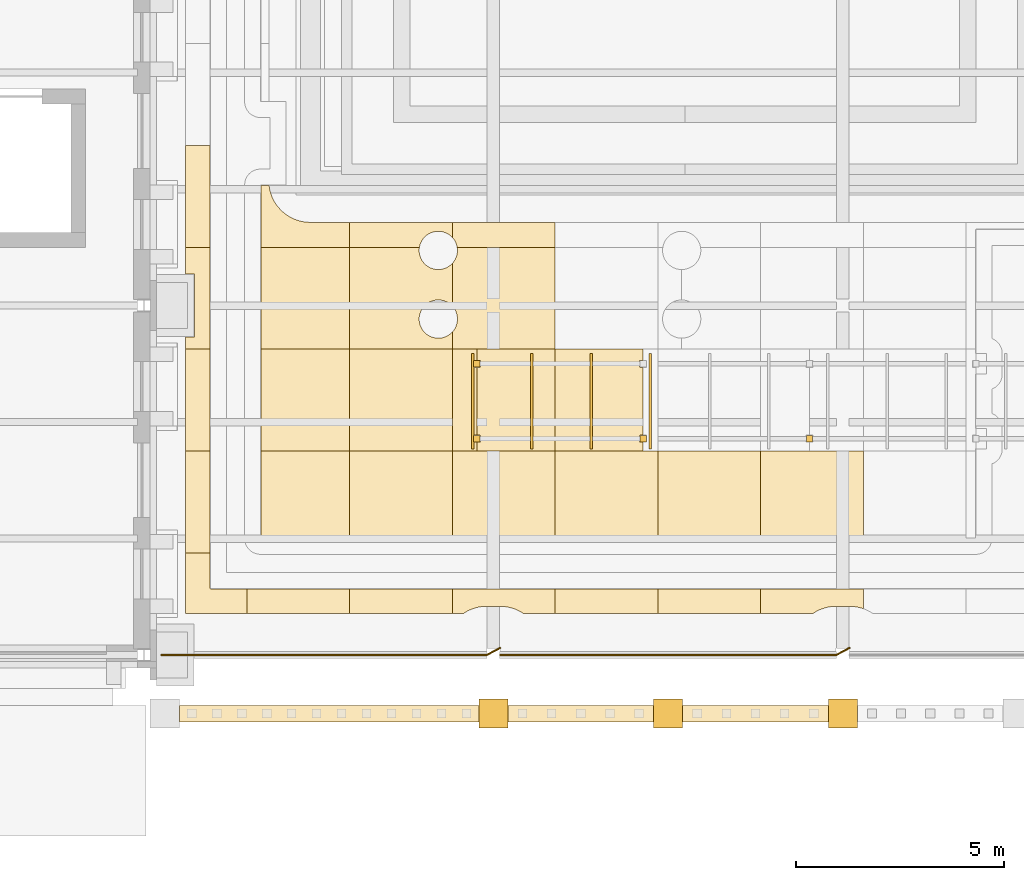
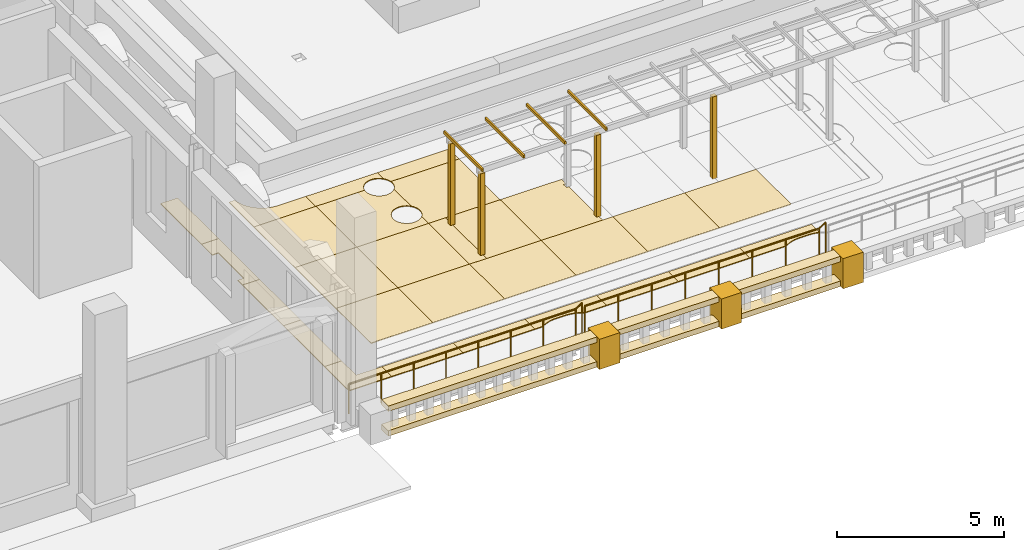
# One storey, part 69 of 76: 45 coverings, 4 railings.
"""IFC4 building model written with IfcOpenShell, lengths in metres."""

from ifc_helpers import new_model, si_unit, direction, frame, origin, origin_2d, place, context, subcontext, project, spatial, polyline, rectangle, circle, outline, extrude, material, layer, layer_set, type_object, element, save


model = new_model("IFC4")

# Units and contexts
model_context = context("Model", 3, precision=1e-05, world=origin(), true_north=direction((0.0, 1.0)))
body_context = subcontext(model_context, "Body", "Model", "MODEL_VIEW")
ifc_project = project(units=[si_unit("LENGTHUNIT", "METRE"), si_unit("AREAUNIT", "SQUARE_METRE"), si_unit("VOLUMEUNIT", "CUBIC_METRE"), si_unit("PLANEANGLEUNIT", "RADIAN"), si_unit("MASSUNIT", "GRAM", prefix="KILO")], contexts=[model_context])

# Site, building, storey
site_placement = place(None, origin())
site = spatial("IfcSite", under=ifc_project, at=site_placement, CompositionType="ELEMENT")
building_placement = place(site_placement, origin())
building = spatial("IfcBuilding", under=site, at=building_placement, Name="Sava Quay Ferry Terminal", CompositionType="ELEMENT")
storey_placement = place(building_placement, frame((0.0, 0.0, 6.0)))
storey = spatial("IfcBuildingStorey", under=building, at=storey_placement, Name="L01", CompositionType="ELEMENT", Elevation=6.0)

# Coverings
ifc_material_1 = material(Name="Limestone Mutalj", Category="masonry")
ifc_layer_1 = layer(ifc_material_1, 0.699951171875)
ifc_layer_set_1 = layer_set([ifc_layer_1], Name="Limestone Mutalj")
covering_type_1 = type_object("IfcCoveringType", Name="Balustrade pier 700", PredefinedType="MOLDING", material=ifc_layer_set_1)
for number, where, z_axis, x_axis, name in (
    (1, (134.39990234375, 23.7900390625, 0.0), (0.0, 0.0, 1.0), (1.0, 0.0, 0.0), "Balustrade pier"),
    (2, (138.60009765625, 23.7900390625, 0.0), (0.0, 0.0, 1.0), (1.0, 0.0, 0.0), "Balustrade pier"),
    (3, (142.800048828125, 23.7900390625, 0.0), (0.0, 0.0, 1.0), (1.0, 0.0, 0.0), "Balustrade pier"),
):
    element("IfcCovering", number, at=place(storey_placement, frame(where, z_axis=z_axis, x_axis=x_axis)), inside=storey, type_object=covering_type_1, Name=name, PredefinedType="MOLDING", context=body_context, shape_type="SweptSolid", body=[
        extrude(rectangle(XDim=0.699951171875, YDim=0.699951171875, at=origin_2d()), origin(), (0.0, 0.0, 1.0), 1.10009765625),
    ])
ifc_material_2 = material(Name="Limestone Mutalj", Category="masonry")
ifc_layer_2 = layer(ifc_material_2, 0.39990234375)
ifc_layer_set_2 = layer_set([ifc_layer_2], Name="Limestone Mutalj")
covering_type_2 = type_object("IfcCoveringType", Name="Balustrade rail 400", PredefinedType="MOLDING", material=ifc_layer_set_2)
for number, where, z_axis, x_axis, name in (
    (4, (130.449951171875, 23.7900390625, 0.0), (0.0, 0.0, 1.0), (1.0, 0.0, 0.0), "Balustrade rail"),
    (5, (130.449951171875, 23.7900390625, 0.89990234375), (0.0, 0.0, 1.0), (1.0, 0.0, 0.0), "Balustrade rail"),
):
    element("IfcCovering", number, at=place(storey_placement, frame(where, z_axis=z_axis, x_axis=x_axis)), inside=storey, type_object=covering_type_2, Name=name, PredefinedType="MOLDING", context=body_context, shape_type="SweptSolid", body=[
        extrude(rectangle(XDim=7.199951171875, YDim=0.39990234375, at=origin_2d()), origin(), (0.0, 0.0, 1.0), 0.199951171875),
    ])
for number, where, z_axis, x_axis, name in (
    (6, (136.5, 23.7900390625, 0.0), (0.0, 0.0, 1.0), (1.0, 0.0, 0.0), "Balustrade rail"),
    (7, (136.5, 23.7900390625, 0.89990234375), (0.0, 0.0, 1.0), (1.0, 0.0, 0.0), "Balustrade rail"),
    (8, (140.699951171875, 23.7900390625, 0.0), (0.0, 0.0, 1.0), (1.0, 0.0, 0.0), "Balustrade rail"),
    (9, (140.699951171875, 23.7900390625, 0.89990234375), (0.0, 0.0, 1.0), (1.0, 0.0, 0.0), "Balustrade rail"),
):
    element("IfcCovering", number, at=place(storey_placement, frame(where, z_axis=z_axis, x_axis=x_axis)), inside=storey, type_object=covering_type_2, Name=name, PredefinedType="MOLDING", context=body_context, shape_type="SweptSolid", body=[
        extrude(rectangle(XDim=3.5, YDim=0.39990234375, at=origin_2d()), origin(), (0.0, 0.0, 1.0), 0.199951171875),
    ])
ifc_material_3 = material(Name="Limestone Mutalj", Category="masonry")
ifc_layer_3 = layer(ifc_material_3, 0.030029296875)
ifc_layer_set_3 = layer_set([ifc_layer_3], Name="Limestone Mutalj")
covering_type_3 = type_object("IfcCoveringType", Name="Court paving tile 30", PredefinedType="FLOORING", material=ifc_layer_set_3)
covering_1_placement = place(storey_placement, origin())
element("IfcCovering", 10, at=covering_1_placement, inside=storey, type_object=covering_type_3, Name="Limestone paving tile", PredefinedType="FLOORING", context=body_context, shape_type="SweptSolid", body=[
    extrude(outline(polyline([(128.470947265625, 26.199951171875), (128.470947265625, 26.7900390625), (127.60009765625, 26.7900390625), (127.594970703125, 26.791015625), (127.591064453125, 26.794921875), (127.590087890625, 26.800048828125), (127.590087890625, 27.64990234375), (127.0, 27.64990234375), (127.0, 26.199951171875), (128.470947265625, 26.199951171875)])), origin(), (0.0, 0.0, 1.0), 0.030029296875),
])
covering_2_placement = place(storey_placement, origin())
element("IfcCovering", 11, at=covering_2_placement, inside=storey, type_object=covering_type_3, Name="Limestone paving tile", PredefinedType="FLOORING", context=body_context, shape_type="SweptSolid", body=[
    extrude(outline(polyline([(127.590087890625, 32.550048828125), (127.0, 32.550048828125), (127.0, 30.10009765625), (127.590087890625, 30.10009765625), (127.590087890625, 32.550048828125)])), origin(), (0.0, 0.0, 1.0), 0.030029296875),
])
covering_3_placement = place(storey_placement, origin())
element("IfcCovering", 12, at=covering_3_placement, inside=storey, type_object=covering_type_3, Name="Limestone paving tile", PredefinedType="FLOORING", context=body_context, shape_type="SweptSolid", body=[
    extrude(outline(polyline([(127.590087890625, 37.449951171875), (127.0, 37.449951171875), (127.0, 35.0), (127.590087890625, 35.0), (127.590087890625, 37.449951171875)])), origin(), (0.0, 0.0, 1.0), 0.030029296875),
])
covering_4_placement = place(storey_placement, origin())
element("IfcCovering", 13, at=covering_4_placement, inside=storey, type_object=covering_type_3, Name="Limestone paving tile", PredefinedType="FLOORING", context=body_context, shape_type="SweptSolid", body=[
    extrude(outline(polyline([(130.94091796875, 30.10009765625), (128.81005859375, 30.10009765625), (128.81005859375, 28.010009765625), (130.94091796875, 28.010009765625), (130.94091796875, 30.10009765625)])), origin(), (0.0, 0.0, 1.0), 0.030029296875),
])
covering_5_placement = place(storey_placement, origin())
element("IfcCovering", 14, at=covering_5_placement, inside=storey, type_object=covering_type_3, Name="Limestone paving tile", PredefinedType="FLOORING", context=body_context, shape_type="SweptSolid", body=[
    extrude(outline(polyline([(130.94091796875, 35.0), (128.81005859375, 35.0), (128.81005859375, 32.550048828125), (130.94091796875, 32.550048828125), (130.94091796875, 35.0)])), origin(), (0.0, 0.0, 1.0), 0.030029296875),
])
covering_6_placement = place(storey_placement, origin())
element("IfcCovering", 15, at=covering_6_placement, inside=storey, type_object=covering_type_3, Name="Limestone paving tile", PredefinedType="FLOORING", context=body_context, shape_type="SweptSolid", body=[
    extrude(outline(polyline([(133.412109375, 26.199951171875), (133.412109375, 26.7900390625), (130.94091796875, 26.7900390625), (130.94091796875, 26.199951171875), (133.412109375, 26.199951171875)])), origin(), (0.0, 0.0, 1.0), 0.030029296875),
])
covering_7_placement = place(storey_placement, origin())
element("IfcCovering", 16, at=covering_7_placement, inside=storey, type_object=covering_type_3, Name="Limestone paving tile", PredefinedType="FLOORING", context=body_context, shape_type="SweptSolid", body=[
    extrude(outline(polyline([(130.94091796875, 30.10009765625), (133.412109375, 30.10009765625), (133.412109375, 32.550048828125), (130.94091796875, 32.550048828125), (130.94091796875, 30.10009765625)])), origin(), (0.0, 0.0, 1.0), 0.030029296875),
])
covering_8_placement = place(storey_placement, origin())
element("IfcCovering", 17, at=covering_8_placement, inside=storey, type_object=covering_type_3, Name="Limestone paving tile", PredefinedType="FLOORING", context=body_context, shape_type="SweptSolid", body=[
    extrude(outline(polyline([(133.412109375, 35.238037109375), (133.412109375, 35.60009765625), (130.94091796875, 35.60009765625), (130.94091796875, 35.0), (132.6220703125, 35.0), (132.6240234375, 35.014892578125), (132.635009765625, 35.05908203125), (132.64990234375, 35.10107421875), (132.6689453125, 35.14111328125), (132.69189453125, 35.179931640625), (132.718994140625, 35.216064453125), (132.75, 35.2509765625), (132.783935546875, 35.281005859375), (132.820068359375, 35.30810546875), (132.85791015625, 35.330078125), (132.89892578125, 35.35009765625), (132.94189453125, 35.364990234375), (132.986083984375, 35.3759765625), (133.030029296875, 35.383056640625), (133.074951171875, 35.385009765625), (133.12109375, 35.383056640625), (133.1650390625, 35.3759765625), (133.2080078125, 35.364990234375), (133.2509765625, 35.35009765625), (133.2919921875, 35.330078125), (133.3310546875, 35.306884765625), (133.366943359375, 35.280029296875), (133.39990234375, 35.2509765625), (133.412109375, 35.238037109375)])), origin(), (0.0, 0.0, 1.0), 0.030029296875),
])
covering_9_placement = place(storey_placement, origin())
element("IfcCovering", 18, at=covering_9_placement, inside=storey, type_object=covering_type_3, Name="Limestone paving tile", PredefinedType="FLOORING", context=body_context, shape_type="SweptSolid", body=[
    extrude(outline(polyline([(133.412109375, 30.10009765625), (133.412109375, 28.010009765625), (135.882080078125, 28.010009765625), (135.882080078125, 30.10009765625), (133.412109375, 30.10009765625)])), origin(), (0.0, 0.0, 1.0), 0.030029296875),
])
covering_10_placement = place(storey_placement, origin())
element("IfcCovering", 19, at=covering_10_placement, inside=storey, type_object=covering_type_3, Name="Limestone paving tile", PredefinedType="FLOORING", context=body_context, shape_type="SweptSolid", body=[
    extrude(outline(polyline([(135.882080078125, 35.0), (133.528076171875, 35.0), (133.532958984375, 34.969970703125), (133.534912109375, 34.925048828125), (133.532958984375, 34.8798828125), (133.52587890625, 34.8359375), (133.514892578125, 34.7919921875), (133.5, 34.7490234375), (133.47998046875, 34.7080078125), (133.45703125, 34.6689453125), (133.430908203125, 34.634033203125), (133.412109375, 34.612060546875), (133.412109375, 33.587890625), (133.430908203125, 33.56591796875), (133.4580078125, 33.530029296875), (133.48095703125, 33.490966796875), (133.5, 33.450927734375), (133.514892578125, 33.407958984375), (133.52587890625, 33.364013671875), (133.532958984375, 33.320068359375), (133.534912109375, 33.27490234375), (133.532958984375, 33.22900390625), (133.52587890625, 33.18505859375), (133.514892578125, 33.14208984375), (133.5, 33.09912109375), (133.48095703125, 33.05908203125), (133.4580078125, 33.02001953125), (133.430908203125, 32.98388671875), (133.412109375, 32.9619140625), (133.412109375, 32.550048828125), (135.882080078125, 32.550048828125), (135.882080078125, 35.0)])), origin(), (0.0, 0.0, 1.0), 0.030029296875),
])
covering_11_placement = place(storey_placement, origin())
element("IfcCovering", 20, at=covering_11_placement, inside=storey, type_object=covering_type_3, Name="Limestone paving tile", PredefinedType="FLOORING", context=body_context, shape_type="SweptSolid", body=[
    extrude(outline(polyline([(138.35302734375, 26.199951171875), (138.35302734375, 26.7900390625), (135.882080078125, 26.7900390625), (135.882080078125, 26.199951171875), (138.35302734375, 26.199951171875)])), origin(), (0.0, 0.0, 1.0), 0.030029296875),
])
covering_12_placement = place(storey_placement, origin())
element("IfcCovering", 21, at=covering_12_placement, inside=storey, type_object=covering_type_3, Name="Limestone paving tile", PredefinedType="FLOORING", context=body_context, shape_type="SweptSolid", body=[
    extrude(outline(polyline([(135.882080078125, 32.550048828125), (135.882080078125, 30.10009765625), (138.0, 30.10009765625), (138.0, 30.31494140625), (137.924072265625, 30.31494140625), (137.9189453125, 30.31689453125), (137.916015625, 30.320068359375), (137.9150390625, 30.324951171875), (137.9150390625, 30.47509765625), (137.9169921875, 30.48095703125), (137.924072265625, 30.485107421875), (138.0, 30.485107421875), (138.0, 32.114990234375), (137.924072265625, 32.114990234375), (137.9189453125, 32.116943359375), (137.916015625, 32.1201171875), (137.9150390625, 32.125), (137.9150390625, 32.27490234375), (137.9169921875, 32.281005859375), (137.924072265625, 32.284912109375), (138.0, 32.284912109375), (138.0, 32.550048828125), (135.882080078125, 32.550048828125)])), origin(), (0.0, 0.0, 1.0), 0.030029296875),
])
covering_13_placement = place(storey_placement, origin())
element("IfcCovering", 22, at=covering_13_placement, inside=storey, type_object=covering_type_3, Name="Limestone paving tile", PredefinedType="FLOORING", context=body_context, shape_type="SweptSolid", body=[
    extrude(outline(polyline([(138.35302734375, 30.10009765625), (138.35302734375, 28.010009765625), (140.823974609375, 28.010009765625), (140.823974609375, 30.10009765625), (138.35302734375, 30.10009765625)])), origin(), (0.0, 0.0, 1.0), 0.030029296875),
])
covering_14_placement = place(storey_placement, origin())
element("IfcCovering", 23, at=covering_14_placement, inside=storey, type_object=covering_type_3, Name="Limestone paving tile", PredefinedType="FLOORING", context=body_context, shape_type="SweptSolid", body=[
    extrude(outline(polyline([(143.2939453125, 26.31103515625), (143.2939453125, 26.7900390625), (140.823974609375, 26.7900390625), (140.823974609375, 26.199951171875), (142.08203125, 26.199951171875), (142.1689453125, 26.251953125), (142.257080078125, 26.2939453125), (142.35009765625, 26.326904296875), (142.445068359375, 26.35107421875), (142.5419921875, 26.364990234375), (142.639892578125, 26.3701171875), (142.9599609375, 26.3701171875), (143.05810546875, 26.364990234375), (143.155029296875, 26.35107421875), (143.25, 26.326904296875), (143.2939453125, 26.31103515625)])), origin(), (0.0, 0.0, 1.0), 0.030029296875),
])
ifc_material_4 = material(Name="Red sandstone Vrsac", Category="masonry")
ifc_layer_4 = layer(ifc_material_4, 0.030029296875)
ifc_layer_set_4 = layer_set([ifc_layer_4], Name="Red sandstone Vrsac")
covering_type_4 = type_object("IfcCoveringType", Name="Court paving tile sandstone 30", PredefinedType="FLOORING", material=ifc_layer_set_4)
covering_15_placement = place(storey_placement, origin())
element("IfcCovering", 24, at=covering_15_placement, inside=storey, type_object=covering_type_4, Name="Sandstone paving tile", PredefinedType="FLOORING", context=body_context, shape_type="SweptSolid", body=[
    extrude(outline(polyline([(127.590087890625, 30.10009765625), (127.0, 30.10009765625), (127.0, 27.64990234375), (127.590087890625, 27.64990234375), (127.590087890625, 30.10009765625)])), origin(), (0.0, 0.0, 1.0), 0.030029296875),
])
covering_16_placement = place(storey_placement, origin())
element("IfcCovering", 25, at=covering_16_placement, inside=storey, type_object=covering_type_4, Name="Sandstone paving tile", PredefinedType="FLOORING", context=body_context, shape_type="SweptSolid", body=[
    extrude(outline(polyline([(127.590087890625, 35.0), (127.0, 35.0), (127.0, 34.360107421875), (127.199951171875, 34.360107421875), (127.20703125, 34.35693359375), (127.2099609375, 34.35107421875), (127.2099609375, 32.85009765625), (127.20703125, 32.843017578125), (127.199951171875, 32.840087890625), (127.0, 32.840087890625), (127.0, 32.550048828125), (127.590087890625, 32.550048828125), (127.590087890625, 35.0)])), origin(), (0.0, 0.0, 1.0), 0.030029296875),
])
covering_17_placement = place(storey_placement, origin())
element("IfcCovering", 26, at=covering_17_placement, inside=storey, type_object=covering_type_4, Name="Sandstone paving tile", PredefinedType="FLOORING", context=body_context, shape_type="SweptSolid", body=[
    extrude(outline(polyline([(130.94091796875, 26.199951171875), (130.94091796875, 26.7900390625), (128.470947265625, 26.7900390625), (128.470947265625, 26.199951171875), (130.94091796875, 26.199951171875)])), origin(), (0.0, 0.0, 1.0), 0.030029296875),
])
covering_18_placement = place(storey_placement, origin())
element("IfcCovering", 27, at=covering_18_placement, inside=storey, type_object=covering_type_4, Name="Sandstone paving tile", PredefinedType="FLOORING", context=body_context, shape_type="SweptSolid", body=[
    extrude(outline(polyline([(130.94091796875, 32.550048828125), (128.81005859375, 32.550048828125), (128.81005859375, 30.10009765625), (130.94091796875, 30.10009765625), (130.94091796875, 32.550048828125)])), origin(), (0.0, 0.0, 1.0), 0.030029296875),
])
covering_19_placement = place(storey_placement, origin())
element("IfcCovering", 28, at=covering_19_placement, inside=storey, type_object=covering_type_4, Name="Sandstone paving tile", PredefinedType="FLOORING", context=body_context, shape_type="SweptSolid", body=[
    extrude(outline(polyline([(130.94091796875, 35.0), (130.94091796875, 35.60009765625), (130.0, 35.60009765625), (129.902099609375, 35.60498046875), (129.804931640625, 35.618896484375), (129.7099609375, 35.64306640625), (129.616943359375, 35.676025390625), (129.529052734375, 35.718017578125), (129.444091796875, 35.76904296875), (129.365966796875, 35.826904296875), (129.29296875, 35.89306640625), (129.22705078125, 35.966064453125), (129.1689453125, 36.0439453125), (129.117919921875, 36.12890625), (129.075927734375, 36.217041015625), (129.04296875, 36.31005859375), (129.01904296875, 36.405029296875), (129.007080078125, 36.489990234375), (128.81005859375, 36.489990234375), (128.81005859375, 35.0), (130.94091796875, 35.0)])), origin(), (0.0, 0.0, 1.0), 0.030029296875),
])
covering_20_placement = place(storey_placement, origin())
element("IfcCovering", 29, at=covering_20_placement, inside=storey, type_object=covering_type_4, Name="Sandstone paving tile", PredefinedType="FLOORING", context=body_context, shape_type="SweptSolid", body=[
    extrude(outline(polyline([(130.94091796875, 30.10009765625), (130.94091796875, 28.010009765625), (133.412109375, 28.010009765625), (133.412109375, 30.10009765625), (130.94091796875, 30.10009765625)])), origin(), (0.0, 0.0, 1.0), 0.030029296875),
])
covering_21_placement = place(storey_placement, origin())
element("IfcCovering", 30, at=covering_21_placement, inside=storey, type_object=covering_type_4, Name="Sandstone paving tile", PredefinedType="FLOORING", context=body_context, shape_type="SweptSolid", body=[
    extrude(outline(polyline([(133.412109375, 32.550048828125), (133.412109375, 32.9619140625), (133.39990234375, 32.948974609375), (133.365966796875, 32.9189453125), (133.330078125, 32.89208984375), (133.2919921875, 32.8701171875), (133.2509765625, 32.85009765625), (133.2080078125, 32.8349609375), (133.1650390625, 32.823974609375), (133.1201171875, 32.81689453125), (133.074951171875, 32.81494140625), (133.030029296875, 32.81689453125), (132.985107421875, 32.823974609375), (132.94189453125, 32.8349609375), (132.89892578125, 32.85009765625), (132.85791015625, 32.8701171875), (132.820068359375, 32.89208984375), (132.783935546875, 32.9189453125), (132.7490234375, 32.949951171875), (132.718994140625, 32.98388671875), (132.693115234375, 33.01904296875), (132.6689453125, 33.05908203125), (132.64990234375, 33.09912109375), (132.635009765625, 33.14208984375), (132.6240234375, 33.18505859375), (132.616943359375, 33.22900390625), (132.614990234375, 33.27490234375), (132.616943359375, 33.320068359375), (132.6240234375, 33.364013671875), (132.635009765625, 33.408935546875), (132.64990234375, 33.450927734375), (132.6689453125, 33.490966796875), (132.693115234375, 33.531005859375), (132.718994140625, 33.56591796875), (132.7490234375, 33.60009765625), (132.783935546875, 33.631103515625), (132.820068359375, 33.657958984375), (132.85791015625, 33.679931640625), (132.89892578125, 33.699951171875), (132.94189453125, 33.715087890625), (132.985107421875, 33.72607421875), (133.030029296875, 33.73291015625), (133.074951171875, 33.735107421875), (133.1201171875, 33.73291015625), (133.1650390625, 33.72607421875), (133.2080078125, 33.715087890625), (133.2509765625, 33.699951171875), (133.2919921875, 33.679931640625), (133.330078125, 33.657958984375), (133.365966796875, 33.631103515625), (133.39990234375, 33.60107421875), (133.412109375, 33.587890625), (133.412109375, 34.612060546875), (133.39990234375, 34.59912109375), (133.365966796875, 34.569091796875), (133.330078125, 34.5419921875), (133.2919921875, 34.52001953125), (133.2509765625, 34.5), (133.2080078125, 34.485107421875), (133.1640625, 34.47412109375), (133.1201171875, 34.467041015625), (133.074951171875, 34.465087890625), (133.029052734375, 34.467041015625), (132.985107421875, 34.47412109375), (132.94189453125, 34.485107421875), (132.89892578125, 34.5), (132.85888671875, 34.51904296875), (132.819091796875, 34.54296875), (132.783935546875, 34.569091796875), (132.75, 34.59912109375), (132.718994140625, 34.634033203125), (132.69189453125, 34.669921875), (132.6689453125, 34.708984375), (132.64990234375, 34.7490234375), (132.635009765625, 34.791015625), (132.6240234375, 34.8359375), (132.616943359375, 34.8798828125), (132.614990234375, 34.925048828125), (132.616943359375, 34.969970703125), (132.6220703125, 35.0), (130.94091796875, 35.0), (130.94091796875, 32.550048828125), (133.412109375, 32.550048828125)])), origin(), (0.0, 0.0, 1.0), 0.030029296875),
])
covering_22_placement = place(storey_placement, origin())
element("IfcCovering", 31, at=covering_22_placement, inside=storey, type_object=covering_type_4, Name="Sandstone paving tile", PredefinedType="FLOORING", context=body_context, shape_type="SweptSolid", body=[
    extrude(outline(polyline([(135.882080078125, 26.199951171875), (135.882080078125, 26.7900390625), (133.412109375, 26.7900390625), (133.412109375, 26.199951171875), (133.681884765625, 26.199951171875), (133.76904296875, 26.251953125), (133.85693359375, 26.2939453125), (133.949951171875, 26.326904296875), (134.044921875, 26.35107421875), (134.14208984375, 26.364990234375), (134.239990234375, 26.3701171875), (134.56005859375, 26.3701171875), (134.657958984375, 26.364990234375), (134.7548828125, 26.35107421875), (134.85009765625, 26.326904296875), (134.943115234375, 26.2939453125), (135.031005859375, 26.251953125), (135.117919921875, 26.199951171875), (135.882080078125, 26.199951171875)])), origin(), (0.0, 0.0, 1.0), 0.030029296875),
])
covering_23_placement = place(storey_placement, origin())
element("IfcCovering", 32, at=covering_23_placement, inside=storey, type_object=covering_type_4, Name="Sandstone paving tile", PredefinedType="FLOORING", context=body_context, shape_type="SweptSolid", body=[
    extrude(outline(polyline([(133.412109375, 32.550048828125), (133.412109375, 30.10009765625), (134.0, 30.10009765625), (134.0, 30.31494140625), (133.924072265625, 30.31494140625), (133.9189453125, 30.31689453125), (133.916015625, 30.320068359375), (133.9150390625, 30.324951171875), (133.9150390625, 30.47509765625), (133.9169921875, 30.48095703125), (133.924072265625, 30.485107421875), (134.0, 30.485107421875), (134.0, 32.114990234375), (133.924072265625, 32.114990234375), (133.9189453125, 32.116943359375), (133.916015625, 32.1201171875), (133.9150390625, 32.125), (133.9150390625, 32.27490234375), (133.9169921875, 32.281005859375), (133.924072265625, 32.284912109375), (134.0, 32.284912109375), (134.0, 32.550048828125), (133.412109375, 32.550048828125)])), origin(), (0.0, 0.0, 1.0), 0.030029296875),
])
covering_24_placement = place(storey_placement, origin())
element("IfcCovering", 33, at=covering_24_placement, inside=storey, type_object=covering_type_4, Name="Sandstone paving tile", PredefinedType="FLOORING", context=body_context, shape_type="SweptSolid", body=[
    extrude(outline(polyline([(135.882080078125, 32.550048828125), (134.0, 32.550048828125), (134.0, 32.284912109375), (134.075927734375, 32.284912109375), (134.0810546875, 32.282958984375), (134.083984375, 32.280029296875), (134.0849609375, 32.27490234375), (134.0849609375, 32.125), (134.0830078125, 32.118896484375), (134.075927734375, 32.114990234375), (134.0, 32.114990234375), (134.0, 30.485107421875), (134.075927734375, 30.485107421875), (134.0810546875, 30.48291015625), (134.083984375, 30.47998046875), (134.0849609375, 30.47509765625), (134.0849609375, 30.324951171875), (134.0830078125, 30.319091796875), (134.075927734375, 30.31494140625), (134.0, 30.31494140625), (134.0, 30.10009765625), (135.882080078125, 30.10009765625), (135.882080078125, 32.550048828125)])), origin(), (0.0, 0.0, 1.0), 0.030029296875),
])
covering_25_placement = place(storey_placement, origin())
element("IfcCovering", 34, at=covering_25_placement, inside=storey, type_object=covering_type_4, Name="Sandstone paving tile", PredefinedType="FLOORING", context=body_context, shape_type="SweptSolid", body=[
    extrude(outline(polyline([(135.882080078125, 35.0), (135.882080078125, 35.60009765625), (133.412109375, 35.60009765625), (133.412109375, 35.238037109375), (133.430908203125, 35.216064453125), (133.45703125, 35.180908203125), (133.48095703125, 35.14111328125), (133.5, 35.10107421875), (133.514892578125, 35.05908203125), (133.52587890625, 35.014892578125), (133.528076171875, 35.0), (135.882080078125, 35.0)])), origin(), (0.0, 0.0, 1.0), 0.030029296875),
])
covering_26_placement = place(storey_placement, origin())
element("IfcCovering", 35, at=covering_26_placement, inside=storey, type_object=covering_type_4, Name="Sandstone paving tile", PredefinedType="FLOORING", context=body_context, shape_type="SweptSolid", body=[
    extrude(outline(polyline([(135.882080078125, 30.10009765625), (135.882080078125, 28.010009765625), (138.35302734375, 28.010009765625), (138.35302734375, 30.10009765625), (135.882080078125, 30.10009765625)])), origin(), (0.0, 0.0, 1.0), 0.030029296875),
])
covering_27_placement = place(storey_placement, origin())
element("IfcCovering", 36, at=covering_27_placement, inside=storey, type_object=covering_type_4, Name="Sandstone paving tile", PredefinedType="FLOORING", context=body_context, shape_type="SweptSolid", body=[
    extrude(outline(polyline([(140.823974609375, 26.199951171875), (140.823974609375, 26.7900390625), (138.35302734375, 26.7900390625), (138.35302734375, 26.199951171875), (140.823974609375, 26.199951171875)])), origin(), (0.0, 0.0, 1.0), 0.030029296875),
])
covering_28_placement = place(storey_placement, origin())
element("IfcCovering", 37, at=covering_28_placement, inside=storey, type_object=covering_type_4, Name="Sandstone paving tile", PredefinedType="FLOORING", context=body_context, shape_type="SweptSolid", body=[
    extrude(outline(polyline([(140.823974609375, 30.10009765625), (140.823974609375, 28.010009765625), (143.2939453125, 28.010009765625), (143.2939453125, 30.10009765625), (140.823974609375, 30.10009765625)])), origin(), (0.0, 0.0, 1.0), 0.030029296875),
])

# Railings
ifc_material_5 = material(Name="Steel S355", Category="steel")
railing_type = type_object("IfcRailingType", Name="Edge guard 1100", PredefinedType="GUARDRAIL", material=ifc_material_5)
railing_1_placement = place(storey_placement, frame((142.9599609375, 25.3701171875, 0.0)))
element("IfcRailing", 38, at=railing_1_placement, inside=storey, type_object=railing_type, Name="Terrace edge guard", PredefinedType="GUARDRAIL", context=body_context, shape_type="SweptSolid", body=[
    extrude(circle(Radius=0.02392578125, at=origin_2d()), frame((0.0, 0.0, 1.076171875), z_axis=(-0.882967432059, -0.469434248776, 0.0), x_axis=(0.469434248776, -0.882967432059, 0.0)), (0.0, 0.0, 1.0), 0.362548828125),
    extrude(circle(Radius=0.02099609375, at=origin_2d()), origin(), (0.0, 0.0, 1.0), 1.052001953125),
    extrude(circle(Radius=0.02099609375, at=origin_2d()), frame((-0.320068359375, -0.170166015625, 0.0)), (0.0, 0.0, 1.0), 1.052001953125),
])
railing_2_placement = place(storey_placement, frame((142.639892578125, 25.199951171875, 0.0)))
element("IfcRailing", 39, at=railing_2_placement, inside=storey, type_object=railing_type, Name="Terrace edge guard", PredefinedType="GUARDRAIL", context=body_context, shape_type="SweptSolid", body=[
    extrude(circle(Radius=0.02392578125, at=origin_2d()), frame((0.0, 0.0, 1.076171875), z_axis=(-1.0, 0.0, 0.0), x_axis=(0.0, -1.0, 0.0)), (0.0, 0.0, 1.0), 8.079833984375),
    extrude(circle(Radius=0.02099609375, at=origin_2d()), origin(), (0.0, 0.0, 1.0), 1.052001953125),
    extrude(circle(Radius=0.02099609375, at=origin_2d()), frame((-1.154296875, 0.0, 0.0)), (0.0, 0.0, 1.0), 1.052001953125),
    extrude(circle(Radius=0.02099609375, at=origin_2d()), frame((-2.30859375, 0.0, 0.0)), (0.0, 0.0, 1.0), 1.052001953125),
    extrude(circle(Radius=0.02099609375, at=origin_2d()), frame((-3.462890625, 0.0, 0.0)), (0.0, 0.0, 1.0), 1.052001953125),
    extrude(circle(Radius=0.02099609375, at=origin_2d()), frame((-4.616943359375, 0.0, 0.0)), (0.0, 0.0, 1.0), 1.052001953125),
    extrude(circle(Radius=0.02099609375, at=origin_2d()), frame((-5.771240234375, 0.0, 0.0)), (0.0, 0.0, 1.0), 1.052001953125),
    extrude(circle(Radius=0.02099609375, at=origin_2d()), frame((-6.925537109375, 0.0, 0.0)), (0.0, 0.0, 1.0), 1.052001953125),
    extrude(circle(Radius=0.02099609375, at=origin_2d()), frame((-8.079833984375, 0.0, 0.0)), (0.0, 0.0, 1.0), 1.052001953125),
])
railing_3_placement = place(storey_placement, frame((134.56005859375, 25.3701171875, 0.0)))
element("IfcRailing", 40, at=railing_3_placement, inside=storey, type_object=railing_type, Name="Terrace edge guard", PredefinedType="GUARDRAIL", context=body_context, shape_type="SweptSolid", body=[
    extrude(circle(Radius=0.02392578125, at=origin_2d()), frame((0.0, 0.0, 1.076171875), z_axis=(-0.882967432059, -0.469434248776, 0.0), x_axis=(0.469434248776, -0.882967432059, 0.0)), (0.0, 0.0, 1.0), 0.362548828125),
    extrude(circle(Radius=0.02099609375, at=origin_2d()), origin(), (0.0, 0.0, 1.0), 1.052001953125),
    extrude(circle(Radius=0.02099609375, at=origin_2d()), frame((-0.320068359375, -0.170166015625, 0.0)), (0.0, 0.0, 1.0), 1.052001953125),
])
railing_4_placement = place(storey_placement, frame((134.239990234375, 25.199951171875, 0.0)))
element("IfcRailing", 41, at=railing_4_placement, inside=storey, type_object=railing_type, Name="Terrace edge guard", PredefinedType="GUARDRAIL", context=body_context, shape_type="SweptSolid", body=[
    extrude(circle(Radius=0.02392578125, at=origin_2d()), frame((0.0, 0.0, 1.076171875), z_axis=(-1.0, 0.0, 0.0), x_axis=(0.0, -1.0, 0.0)), (0.0, 0.0, 1.0), 7.820068359375),
    extrude(circle(Radius=0.02099609375, at=origin_2d()), origin(), (0.0, 0.0, 1.0), 1.052001953125),
    extrude(circle(Radius=0.02099609375, at=origin_2d()), frame((-1.1171875, 0.0, 0.0)), (0.0, 0.0, 1.0), 1.052001953125),
    extrude(circle(Radius=0.02099609375, at=origin_2d()), frame((-2.234375, 0.0, 0.0)), (0.0, 0.0, 1.0), 1.052001953125),
    extrude(circle(Radius=0.02099609375, at=origin_2d()), frame((-3.3515625, 0.0, 0.0)), (0.0, 0.0, 1.0), 1.052001953125),
    extrude(circle(Radius=0.02099609375, at=origin_2d()), frame((-4.468505859375, 0.0, 0.0)), (0.0, 0.0, 1.0), 1.052001953125),
    extrude(circle(Radius=0.02099609375, at=origin_2d()), frame((-5.585693359375, 0.0, 0.0)), (0.0, 0.0, 1.0), 1.052001953125),
    extrude(circle(Radius=0.02099609375, at=origin_2d()), frame((-6.702880859375, 0.0, 0.0)), (0.0, 0.0, 1.0), 1.052001953125),
    extrude(circle(Radius=0.02099609375, at=origin_2d()), frame((-7.820068359375, 0.0, 0.0)), (0.0, 0.0, 1.0), 1.052001953125),
])

# Coverings
ifc_material_6 = material(Name="Glulam GL28h", Category="wood")
ifc_layer_5 = layer(ifc_material_6, 0.14990234375)
ifc_layer_set_5 = layer_set([ifc_layer_5], Name="Glulam GL28h")
covering_type_5 = type_object("IfcCoveringType", Name="Pergola walk post 150", PredefinedType="CLADDING", material=ifc_layer_set_5)
for number, where, z_axis, x_axis, name in (
    (42, (134.0, 30.39990234375, 0.0), (0.0, 0.0, 1.0), (1.0, 0.0, 0.0), "Pergola walk post"),
    (43, (138.0, 30.39990234375, 0.0), (0.0, 0.0, 1.0), (1.0, 0.0, 0.0), "Pergola walk post"),
    (44, (142.0, 30.39990234375, 0.0), (0.0, 0.0, 1.0), (1.0, 0.0, 0.0), "Pergola walk post"),
    (45, (134.0, 32.199951171875, 0.0), (0.0, 0.0, 1.0), (1.0, 0.0, 0.0), "Pergola walk post"),
):
    element("IfcCovering", number, at=place(storey_placement, frame(where, z_axis=z_axis, x_axis=x_axis)), inside=storey, type_object=covering_type_5, Name=name, PredefinedType="CLADDING", context=body_context, shape_type="SweptSolid", body=[
        extrude(rectangle(XDim=0.14990234375, YDim=0.14990234375, at=origin_2d()), origin(), (0.0, 0.0, 1.0), 3.0),
    ])
ifc_material_7 = material(Name="Glulam GL28h", Category="wood")
ifc_layer_6 = layer(ifc_material_7, 0.06005859375)
ifc_layer_set_6 = layer_set([ifc_layer_6], Name="Glulam GL28h")
covering_type_6 = type_object("IfcCoveringType", Name="Pergola walk rafter 60x100", PredefinedType="CLADDING", material=ifc_layer_set_6)
for number, where, z_axis, x_axis, name in (
    (46, (133.89990234375, 31.300048828125, 3.199951171875), (0.0, 0.0, 1.0), (1.0, 0.0, 0.0), "Pergola walk rafter"),
    (47, (135.323486328125, 31.300048828125, 3.199951171875), (0.0, 0.0, 1.0), (1.0, 0.0, 0.0), "Pergola walk rafter"),
    (48, (136.7470703125, 31.300048828125, 3.199951171875), (0.0, 0.0, 1.0), (1.0, 0.0, 0.0), "Pergola walk rafter"),
    (49, (138.170654296875, 31.300048828125, 3.199951171875), (0.0, 0.0, 1.0), (1.0, 0.0, 0.0), "Pergola walk rafter"),
):
    element("IfcCovering", number, at=place(storey_placement, frame(where, z_axis=z_axis, x_axis=x_axis)), inside=storey, type_object=covering_type_6, Name=name, PredefinedType="CLADDING", context=body_context, shape_type="SweptSolid", body=[
        extrude(rectangle(XDim=0.06005859375, YDim=2.300048828125, at=origin_2d()), origin(), (0.0, 0.0, 1.0), 0.10009765625),
    ])

save(model, "model.ifc")
